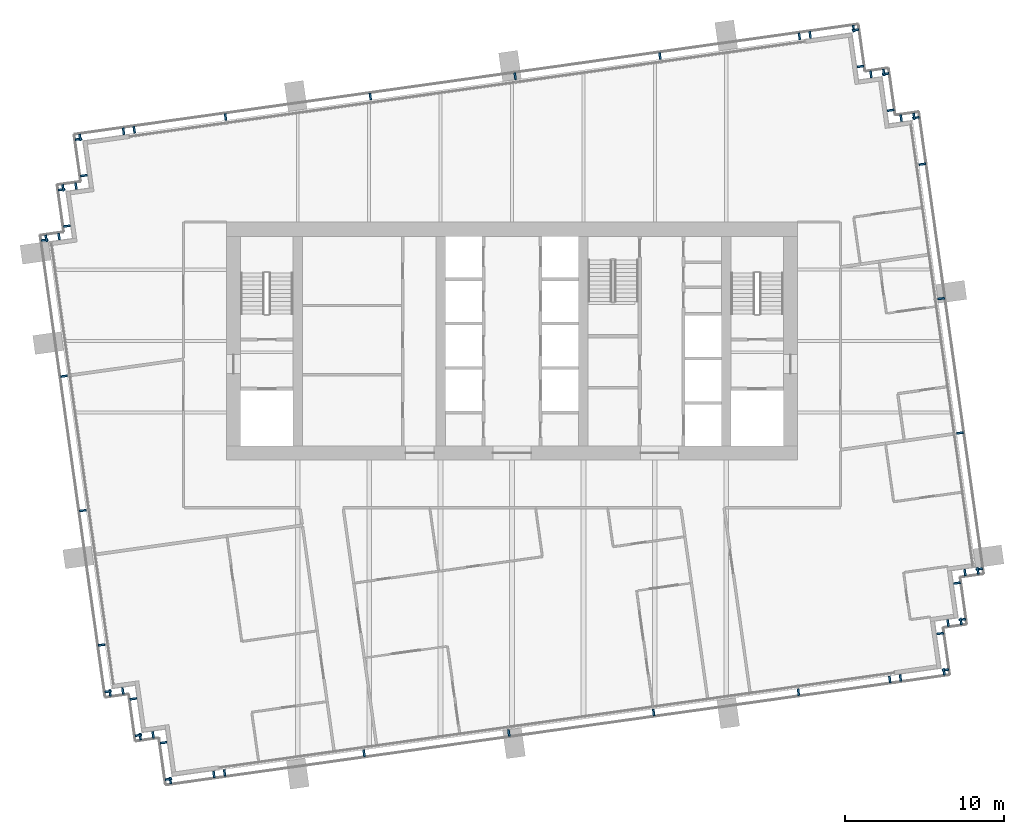
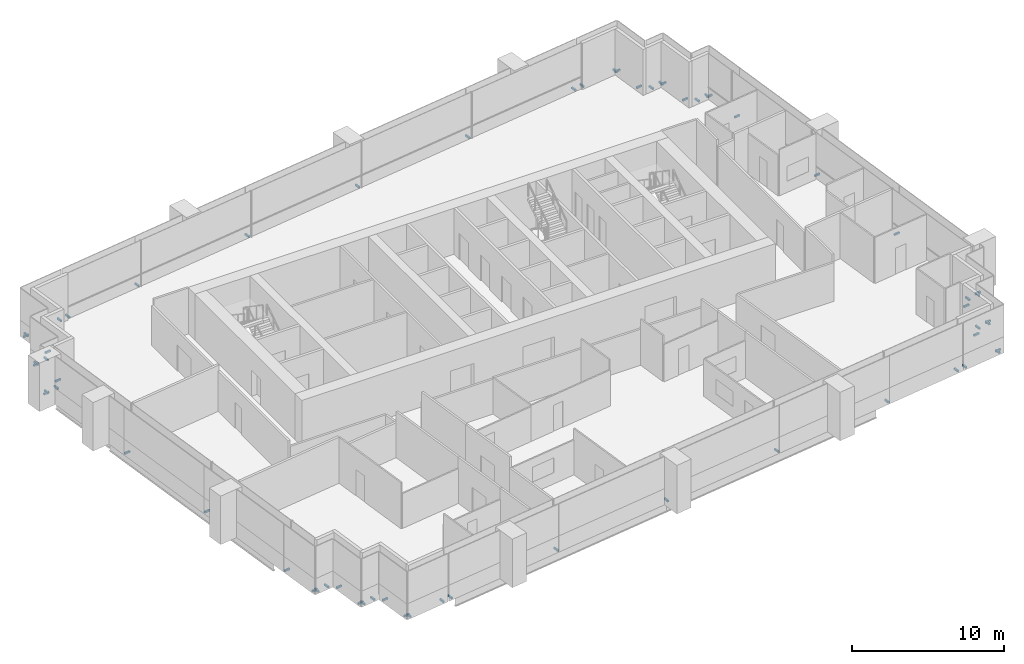
# One storey, part 13 of 18: 62 discrete accessories.
"""IFC4 building model written with IfcOpenShell, lengths in metres."""

from ifc_helpers import new_model, si_unit, direction, frame, origin, origin_2d, place, context, subcontext, project, spatial, rectangle, extrude, element, save


model = new_model("IFC4")

# Units and contexts
model_context = context("Model", 3, precision=1e-05, world=origin(), true_north=direction((0.0, 1.0)))
body_context = subcontext(model_context, "Body", "Model", "MODEL_VIEW")
ifc_project = project(units=[si_unit("LENGTHUNIT", "METRE"), si_unit("AREAUNIT", "SQUARE_METRE"), si_unit("VOLUMEUNIT", "CUBIC_METRE"), si_unit("PLANEANGLEUNIT", "RADIAN"), si_unit("MASSUNIT", "GRAM", prefix="KILO")], contexts=[model_context])

# Site, building, storey
site_placement = place(None, origin())
site = spatial("IfcSite", under=ifc_project, at=site_placement, CompositionType="ELEMENT")
building_placement = place(site_placement, origin())
building = spatial("IfcBuilding", under=site, at=building_placement, Name="Rattan Terrace Tower", CompositionType="ELEMENT")
storey_placement = place(building_placement, frame((0.0, 0.0, 188.0)))
storey = spatial("IfcBuildingStorey", under=building, at=storey_placement, Name="L43", CompositionType="ELEMENT", Elevation=188.0)

# Discrete accessories
for number, where, z_axis, x_axis, name in (
    (1, (24.474853515625, -21.2216796875, -0.169921875), (0.0, 0.0, 1.0), (0.990247240581, 0.139321220646, 0.0), "Panel bracket L43-1"),
    (2, (27.21826171875, -20.835693359375, -0.169921875), (0.0, 0.0, 1.0), (0.990247240581, 0.139321220646, 0.0), "Panel bracket L43-2"),
    (3, (27.30322265625, -20.72265625, -0.169921875), (0.0, 0.0, 1.0), (-0.139321220646, 0.990247240581, 0.0), "Panel bracket L43-3"),
    (4, (26.97998046875, -18.42529296875, -0.169921875), (0.0, 0.0, 1.0), (-0.139321220646, 0.990247240581, 0.0), "Panel bracket L43-4"),
    (5, (27.473876953125, -17.7705078125, -0.169921875), (0.0, 0.0, 1.0), (0.990345406709, 0.138621698915, 0.0), "Panel bracket L43-5"),
    (6, (28.286376953125, -17.65673828125, -0.169921875), (0.0, 0.0, 1.0), (0.990345406709, 0.138621698915, 0.0), "Panel bracket L43-6"),
    (7, (28.371337890625, -17.5439453125, -0.169921875), (0.0, 0.0, 1.0), (-0.139321220646, 0.990247240581, 0.0), "Panel bracket L43-7"),
    (8, (28.048095703125, -15.24609375, -0.169921875), (0.0, 0.0, 1.0), (-0.139321220646, 0.990247240581, 0.0), "Panel bracket L43-8"),
    (9, (28.54150390625, -14.5908203125, -0.169921875), (0.0, 0.0, 1.0), (0.99025370695, 0.139275252184, 0.0), "Panel bracket L43-9"),
    (10, (29.354248046875, -14.4765625, -0.169921875), (0.0, 0.0, 1.0), (0.99025370695, 0.139275252184, 0.0), "Panel bracket L43-10"),
    (11, (29.439208984375, -14.36376953125, -0.169921875), (0.0, 0.0, 1.0), (-0.139190856006, 0.99026557327, 0.0), "Panel bracket L43-11"),
    (12, (28.23388671875, -5.787841796875, -0.169921875), (0.0, 0.0, 1.0), (-0.139190856006, 0.99026557327, 0.0), "Panel bracket L43-12"),
    (13, (27.043701171875, 2.6787109375, -0.169921875), (0.0, 0.0, 1.0), (-0.139190856006, 0.99026557327, 0.0), "Panel bracket L43-13"),
    (14, (25.853759765625, 11.1455078125, -0.169921875), (0.0, 0.0, 1.0), (-0.139190856006, 0.99026557327, 0.0), "Panel bracket L43-14"),
    (15, (25.441650390625, 14.0771484375, -0.169921875), (0.0, 0.0, 1.0), (-0.139190856006, 0.99026557327, 0.0), "Panel bracket L43-15"),
    (16, (25.328857421875, 14.162353515625, -0.169921875), (0.0, 0.0, 1.0), (-0.990240767803, -0.139367219175, 0.0), "Panel bracket L43-16"),
    (17, (24.51708984375, 14.048095703125, -0.169921875), (0.0, 0.0, 1.0), (-0.990240767803, -0.139367219175, 0.0), "Panel bracket L43-17"),
    (18, (23.86181640625, 14.54150390625, -0.169921875), (0.0, 0.0, 1.0), (-0.139321220646, 0.990247240581, 0.0), "Panel bracket L43-18"),
    (19, (23.53857421875, 16.83935546875, -0.169921875), (0.0, 0.0, 1.0), (-0.139321220646, 0.990247240581, 0.0), "Panel bracket L43-19"),
    (20, (23.42578125, 16.92431640625, -0.169921875), (0.0, 0.0, 1.0), (-0.990240767803, -0.139367219175, 0.0), "Panel bracket L43-20"),
    (21, (22.614013671875, 16.81005859375, -0.169921875), (0.0, 0.0, 1.0), (-0.990240767803, -0.139367219175, 0.0), "Panel bracket L43-21"),
    (22, (21.958984375, 17.303466796875, -0.169921875), (0.0, 0.0, 1.0), (-0.139321220646, 0.990247240581, 0.0), "Panel bracket L43-22"),
    (23, (21.635498046875, 19.601318359375, -0.169921875), (0.0, 0.0, 1.0), (-0.139321220646, 0.990247240581, 0.0), "Panel bracket L43-23"),
    (24, (21.522705078125, 19.686279296875, -0.169921875), (0.0, 0.0, 1.0), (-0.990240767803, -0.139367219175, 0.0), "Panel bracket L43-24"),
    (25, (18.780517578125, 19.30029296875, -0.169921875), (0.0, 0.0, 1.0), (-0.990240767803, -0.139367219175, 0.0), "Panel bracket L43-25"),
    (26, (18.10693359375, 19.20556640625, -0.169921875), (0.0, 0.0, 1.0), (-0.990269702686, -0.139161474347, 0.0), "Panel bracket L43-26"),
    (27, (9.3203125, 17.970947265625, -0.169921875), (0.0, 0.0, 1.0), (-0.990269702686, -0.139161474347, 0.0), "Panel bracket L43-27"),
    (28, (0.197021484375, 16.688720703125, -0.169921875), (0.0, 0.0, 1.0), (-0.990269702686, -0.139161474347, 0.0), "Panel bracket L43-28"),
    (29, (-8.92626953125, 15.40673828125, -0.169921875), (0.0, 0.0, 1.0), (-0.990269702686, -0.139161474347, 0.0), "Panel bracket L43-29"),
    (30, (-18.0498046875, 14.12451171875, -0.169921875), (0.0, 0.0, 1.0), (-0.990269702686, -0.139161474347, 0.0), "Panel bracket L43-30"),
    (31, (-23.801513671875, 13.316162109375, -0.169921875), (0.0, 0.0, 1.0), (-0.990269702686, -0.139161474347, 0.0), "Panel bracket L43-31"),
    (32, (-24.474853515625, 13.2216796875, -0.169921875), (0.0, 0.0, 1.0), (-0.990247240581, -0.139321220646, 0.0), "Panel bracket L43-32"),
    (33, (-27.21826171875, 12.835693359375, -0.169921875), (0.0, 0.0, 1.0), (-0.990247240581, -0.139321220646, 0.0), "Panel bracket L43-33"),
    (34, (-27.30322265625, 12.72265625, -0.169921875), (0.0, 0.0, 1.0), (0.139321220646, -0.990247240581, 0.0), "Panel bracket L43-34"),
    (35, (-26.97998046875, 10.42529296875, -0.169921875), (0.0, 0.0, 1.0), (0.139321220646, -0.990247240581, 0.0), "Panel bracket L43-35"),
    (36, (-27.473876953125, 9.7705078125, -0.169921875), (0.0, 0.0, 1.0), (-0.990345406709, -0.138621698915, 0.0), "Panel bracket L43-36"),
    (37, (-28.286376953125, 9.65673828125, -0.169921875), (0.0, 0.0, 1.0), (-0.990345406709, -0.138621698915, 0.0), "Panel bracket L43-37"),
    (38, (-28.371337890625, 9.5439453125, -0.169921875), (0.0, 0.0, 1.0), (0.139321220646, -0.990247240581, 0.0), "Panel bracket L43-38"),
    (39, (-28.048095703125, 7.24609375, -0.169921875), (0.0, 0.0, 1.0), (0.139321220646, -0.990247240581, 0.0), "Panel bracket L43-39"),
    (40, (-28.54150390625, 6.5908203125, -0.169921875), (0.0, 0.0, 1.0), (-0.99025370695, -0.139275252184, 0.0), "Panel bracket L43-40"),
    (41, (-29.354248046875, 6.4765625, -0.169921875), (0.0, 0.0, 1.0), (-0.99025370695, -0.139275252184, 0.0), "Panel bracket L43-41"),
    (42, (-29.439208984375, 6.36376953125, -0.169921875), (0.0, 0.0, 1.0), (0.139190856006, -0.99026557327, 0.0), "Panel bracket L43-42"),
    (43, (-28.23388671875, -2.212158203125, -0.169921875), (0.0, 0.0, 1.0), (0.139190856006, -0.99026557327, 0.0), "Panel bracket L43-43"),
    (44, (-27.043701171875, -10.6787109375, -0.169921875), (0.0, 0.0, 1.0), (0.139190856006, -0.99026557327, 0.0), "Panel bracket L43-44"),
    (45, (-25.853759765625, -19.1455078125, -0.169921875), (0.0, 0.0, 1.0), (0.139190856006, -0.99026557327, 0.0), "Panel bracket L43-45"),
    (46, (-25.441650390625, -22.0771484375, -0.169921875), (0.0, 0.0, 1.0), (0.139190856006, -0.99026557327, 0.0), "Panel bracket L43-46"),
    (47, (-25.328857421875, -22.162353515625, -0.169921875), (0.0, 0.0, 1.0), (0.990240767803, 0.139367219175, 0.0), "Panel bracket L43-47"),
    (48, (-24.51708984375, -22.048095703125, -0.169921875), (0.0, 0.0, 1.0), (0.990240767803, 0.139367219175, 0.0), "Panel bracket L43-48"),
    (49, (-23.86181640625, -22.54150390625, -0.169921875), (0.0, 0.0, 1.0), (0.139321220646, -0.990247240581, 0.0), "Panel bracket L43-49"),
    (50, (-23.53857421875, -24.83935546875, -0.169921875), (0.0, 0.0, 1.0), (0.139321220646, -0.990247240581, 0.0), "Panel bracket L43-50"),
    (51, (-23.42578125, -24.92431640625, -0.169921875), (0.0, 0.0, 1.0), (0.990240767803, 0.139367219175, 0.0), "Panel bracket L43-51"),
    (52, (-22.614013671875, -24.81005859375, -0.169921875), (0.0, 0.0, 1.0), (0.990240767803, 0.139367219175, 0.0), "Panel bracket L43-52"),
    (53, (-21.958984375, -25.303466796875, -0.169921875), (0.0, 0.0, 1.0), (0.139321220646, -0.990247240581, 0.0), "Panel bracket L43-53"),
    (54, (-21.635498046875, -27.601318359375, -0.169921875), (0.0, 0.0, 1.0), (0.139321220646, -0.990247240581, 0.0), "Panel bracket L43-54"),
    (55, (-21.522705078125, -27.686279296875, -0.169921875), (0.0, 0.0, 1.0), (0.990240767803, 0.139367219175, 0.0), "Panel bracket L43-55"),
    (56, (-18.780517578125, -27.30029296875, -0.169921875), (0.0, 0.0, 1.0), (0.990240767803, 0.139367219175, 0.0), "Panel bracket L43-56"),
    (57, (-18.10693359375, -27.20556640625, -0.169921875), (0.0, 0.0, 1.0), (0.990269702686, 0.139161474347, 0.0), "Panel bracket L43-57"),
    (58, (-9.3203125, -25.970947265625, -0.169921875), (0.0, 0.0, 1.0), (0.990269702686, 0.139161474347, 0.0), "Panel bracket L43-58"),
    (59, (-0.197021484375, -24.688720703125, -0.169921875), (0.0, 0.0, 1.0), (0.990269702686, 0.139161474347, 0.0), "Panel bracket L43-59"),
    (60, (8.92626953125, -23.40673828125, -0.169921875), (0.0, 0.0, 1.0), (0.990269702686, 0.139161474347, 0.0), "Panel bracket L43-60"),
    (61, (18.0498046875, -22.12451171875, -0.169921875), (0.0, 0.0, 1.0), (0.990269702686, 0.139161474347, 0.0), "Panel bracket L43-61"),
    (62, (23.801513671875, -21.316162109375, -0.169921875), (0.0, 0.0, 1.0), (0.990269702686, 0.139161474347, 0.0), "Panel bracket L43-62"),
):
    element("IfcDiscreteAccessory", number, at=place(storey_placement, frame(where, z_axis=z_axis, x_axis=x_axis)), inside=storey, Name=name, PredefinedType="BRACKET", context=body_context, shape_type="SweptSolid", body=[
        extrude(rectangle(XDim=0.1201171875, YDim=0.419921875, at=origin_2d()), origin(), (0.0, 0.0, 1.0), 0.139892578125),
    ])

save(model, "model.ifc")
